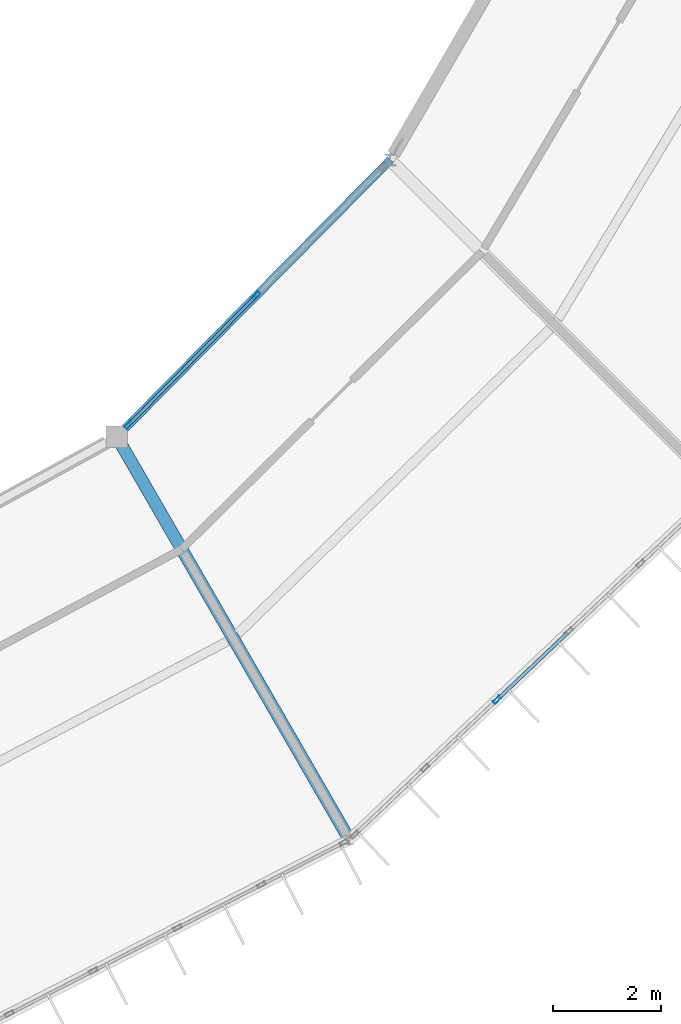
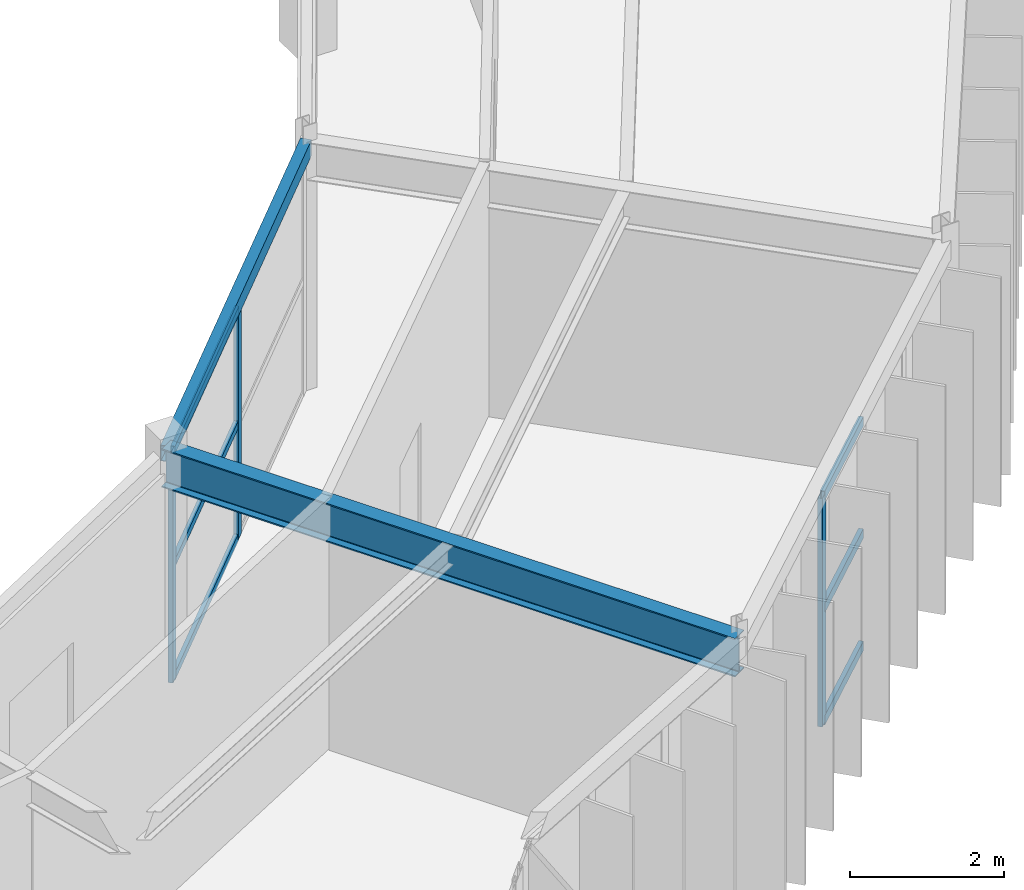
# One storey, part 48 of 134: 9 members, 2 beams, 2 elements without a shape of their own.
"""IFC4 building model written with IfcOpenShell, lengths in metres."""

from ifc_helpers import new_model, si_unit, direction, frame, origin, origin_2d, place, context, subcontext, project, spatial, hollow_rectangle, i_section, extrude, material, material_profile, profile_set, type_object, element, aggregate, save


model = new_model("IFC4")

# Units and contexts
model_context = context("Model", 3, precision=1e-05, world=origin(), true_north=direction((0.0, 1.0)))
body_context = subcontext(model_context, "Body", "Model", "MODEL_VIEW")
ifc_project = project(units=[si_unit("LENGTHUNIT", "METRE"), si_unit("AREAUNIT", "SQUARE_METRE"), si_unit("VOLUMEUNIT", "CUBIC_METRE"), si_unit("PLANEANGLEUNIT", "RADIAN"), si_unit("MASSUNIT", "GRAM", prefix="KILO")], contexts=[model_context])

# Site, building, storey
site_placement = place(None, origin())
site = spatial("IfcSite", under=ifc_project, at=site_placement, CompositionType="ELEMENT")
building_placement = place(site_placement, origin())
building = spatial("IfcBuilding", under=site, at=building_placement, Name="Karori Crest Natural Sciences Institute", CompositionType="ELEMENT")
storey_placement = place(building_placement, frame((0.0, 0.0, 21.699951171875)))
storey = spatial("IfcBuildingStorey", under=building, at=storey_placement, Name="L05", CompositionType="ELEMENT", Elevation=21.699951171875)

# Beams
ifc_material_1 = material(Name="Structural steel AS/NZS 3679.1 Grade 350", Category="steel")
ifc_material_profile_1 = material_profile(ifc_material_1, i_section(OverallWidth=0.22900390625, OverallDepth=0.612060546875, WebThickness=0.011962890625, FlangeThickness=0.01953125, FilletRadius=0.013916015625, at=origin_2d()), Name="610UB125")
ifc_profile_set_1 = profile_set([ifc_material_profile_1], Name="Structural steel AS/NZS 3679.1 Grade 350")
beam_type_1 = type_object("IfcBeamType", Name="BT-04", PredefinedType="BEAM", material=ifc_profile_set_1)
beam_1_placement = place(storey_placement, frame((78.60009765625, 22.013916015625, 3.634033203125), z_axis=(0.499986217557, -0.866033360935, 0.0), x_axis=(0.866033360935, 0.499986217557, 0.0)))
element("IfcBeam", 1, at=beam_1_placement, inside=storey, type_object=beam_type_1, Name="Beam B-0606", PredefinedType="BEAM", context=body_context, shape_type="SweptSolid", body=[
    extrude(i_section(OverallWidth=0.22900390625, OverallDepth=0.612060546875, WebThickness=0.011962890625, FlangeThickness=0.01953125, FilletRadius=0.013916015625, at=origin_2d()), origin(), (0.0, 0.0, 1.0), 8.599853515625),
])
ifc_material_2 = material(Name="Hollow structural steel AS/NZS 1163 Grade C350", Category="steel")
ifc_material_profile_2 = material_profile(ifc_material_2, hollow_rectangle(XDim=0.14990234375, YDim=0.25, WallThickness=0.009033203125, at=origin_2d()), Name="RHS250x150x9")
ifc_profile_set_2 = profile_set([ifc_material_profile_2], Name="Hollow structural steel AS/NZS 1163 Grade C350")
beam_type_2 = type_object("IfcBeamType", Name="BT-16", PredefinedType="SPANDREL", material=ifc_profile_set_2)
beam_2_placement = place(storey_placement, frame((78.60009765625, 22.013916015625, 3.7900390625), z_axis=(0.702645672149, 0.711539921164, 0.0), x_axis=(-0.711539921164, 0.702645672149, 0.0)))
element("IfcBeam", 2, at=beam_2_placement, inside=storey, type_object=beam_type_2, Name="Beam B-0605", PredefinedType="SPANDREL", context=body_context, shape_type="SweptSolid", body=[
    extrude(hollow_rectangle(XDim=0.14990234375, YDim=0.25, WallThickness=0.009033203125, at=origin_2d()), origin(), (0.0, 0.0, 1.0), 7.191650390625),
])

# Curtain wall, member
ifc_material_3 = material(Name="Anodised architectural aluminium 6063-T6", Category="aluminium")
curtain_wall_type_1 = type_object("IfcCurtainWallType", Name="CWT-01", PredefinedType="NOTDEFINED", material=ifc_material_3)
curtain_wall_1_placement = place(storey_placement, origin())
curtain_wall_1 = element("IfcCurtainWall", 3, at=curtain_wall_1_placement, inside=storey, type_object=curtain_wall_type_1, Name="Curtain wall CW-0202", PredefinedType="NOTDEFINED")
ifc_material_profile_3 = material_profile(ifc_material_3, hollow_rectangle(XDim=0.06494140625, YDim=0.159912109375, WallThickness=0.00390625, at=origin_2d()), Name="CWM160x65x4")
ifc_profile_set_3 = profile_set([ifc_material_profile_3], Name="Anodised architectural aluminium 6063-T6")
member_type_1 = type_object("IfcMemberType", Name="CWM-01", PredefinedType="MULLION", material=ifc_profile_set_3)
member_1_placement = place(storey_placement, frame((85.62841796875, 17.15478515625, 0.0), z_axis=(0.0, 0.0, 1.0), x_axis=(0.688250542104, -0.725473081026, 0.0)))
member_1 = element("IfcMember", 4, at=member_1_placement, type_object=member_type_1, Name="CW-0202 mullion 4", PredefinedType="MULLION", context=body_context, shape_type="SweptSolid", body=[
    extrude(hollow_rectangle(XDim=0.06494140625, YDim=0.159912109375, WallThickness=0.00390625, at=origin_2d()), origin(), (0.0, 0.0, 1.0), 3.625),
])

# Curtain wall, members
curtain_wall_type_2 = type_object("IfcCurtainWallType", Name="CWT-11", PredefinedType="NOTDEFINED", material=ifc_material_3)
curtain_wall_2_placement = place(storey_placement, origin())
curtain_wall_2 = element("IfcCurtainWall", 5, at=curtain_wall_2_placement, inside=storey, type_object=curtain_wall_type_2, Name="Curtain wall CW-0203", PredefinedType="NOTDEFINED")
member_2_placement = place(storey_placement, frame((78.81884765625, 22.23583984375, 0.0), z_axis=(0.0, 0.0, 1.0), x_axis=(-0.711524963942, 0.702660818381, 0.0)))
member_2 = element("IfcMember", 6, at=member_2_placement, type_object=member_type_1, Name="CW-0203 mullion 1", PredefinedType="MULLION", context=body_context, shape_type="SweptSolid", body=[
    extrude(hollow_rectangle(XDim=0.06494140625, YDim=0.159912109375, WallThickness=0.00390625, at=origin_2d()), origin(), (0.0, 0.0, 1.0), 3.650146484375),
])
member_3_placement = place(storey_placement, frame((81.17431640625, 24.62060546875, 0.0), z_axis=(0.0, 0.0, 1.0), x_axis=(-0.711524963942, 0.702660818381, 0.0)))
member_3 = element("IfcMember", 7, at=member_3_placement, type_object=member_type_1, Name="CW-0203 mullion 2", PredefinedType="MULLION", context=body_context, shape_type="SweptSolid", body=[
    extrude(hollow_rectangle(XDim=0.06494140625, YDim=0.159912109375, WallThickness=0.00390625, at=origin_2d()), origin(), (0.0, 0.0, 1.0), 3.650146484375),
])
ifc_material_profile_4 = material_profile(ifc_material_3, hollow_rectangle(XDim=0.06005859375, YDim=0.1201171875, WallThickness=0.00390625, at=origin_2d()), Name="CWT120x60x4")
ifc_profile_set_4 = profile_set([ifc_material_profile_4], Name="Anodised architectural aluminium 6063-T6")
member_type_2 = type_object("IfcMemberType", Name="CWT-TR1", PredefinedType="USERDEFINED", material=ifc_profile_set_4)
member_4_placement = place(storey_placement, frame((78.841796875, 22.2587890625, 0.030029296875), z_axis=(0.702636271003, 0.711549204673, 0.0), x_axis=(-0.711549204673, 0.702636271003, 0.0)))
member_4 = element("IfcMember", 8, at=member_4_placement, type_object=member_type_2, Name="CW-0203 transom 1.1", ObjectType="TRANSOM", PredefinedType="USERDEFINED", context=body_context, shape_type="SweptSolid", body=[
    extrude(hollow_rectangle(XDim=0.06005859375, YDim=0.1201171875, WallThickness=0.00390625, at=origin_2d()), origin(), (0.0, 0.0, 1.0), 3.287109375),
])
member_5_placement = place(storey_placement, frame((78.841796875, 22.2587890625, 1.824951171875), z_axis=(0.702636271003, 0.711549204673, 0.0), x_axis=(-0.711549204673, 0.702636271003, 0.0)))
member_5 = element("IfcMember", 9, at=member_5_placement, type_object=member_type_2, Name="CW-0203 transom 1.2", ObjectType="TRANSOM", PredefinedType="USERDEFINED", context=body_context, shape_type="SweptSolid", body=[
    extrude(hollow_rectangle(XDim=0.06005859375, YDim=0.1201171875, WallThickness=0.00390625, at=origin_2d()), origin(), (0.0, 0.0, 1.0), 3.287109375),
])
member_6_placement = place(storey_placement, frame((78.841796875, 22.2587890625, 3.6201171875), z_axis=(0.702636271003, 0.711549204673, 0.0), x_axis=(-0.711549204673, 0.702636271003, 0.0)))
member_6 = element("IfcMember", 10, at=member_6_placement, type_object=member_type_2, Name="CW-0203 transom 1.3", ObjectType="TRANSOM", PredefinedType="USERDEFINED", context=body_context, shape_type="SweptSolid", body=[
    extrude(hollow_rectangle(XDim=0.06005859375, YDim=0.1201171875, WallThickness=0.00390625, at=origin_2d()), origin(), (0.0, 0.0, 1.0), 3.287109375),
])
aggregate(curtain_wall_2, [member_2, member_3, member_4, member_5, member_6])

# Member
ifc_material_profile_5 = material_profile(ifc_material_3, hollow_rectangle(XDim=0.06494140625, YDim=0.14990234375, WallThickness=0.00390625, at=origin_2d()), Name="CWT150x65x4")
ifc_profile_set_5 = profile_set([ifc_material_profile_5], Name="Anodised architectural aluminium 6063-T6")
member_type_3 = type_object("IfcMemberType", Name="CWT-TR2", PredefinedType="USERDEFINED", material=ifc_profile_set_5)
member_7_placement = place(storey_placement, frame((86.931396484375, 18.390869140625, 0.032470703125), z_axis=(-0.725414069786, -0.688312739499, 0.0), x_axis=(0.688312739499, -0.725414069786, 0.0)))
member_7 = element("IfcMember", 11, at=member_7_placement, type_object=member_type_3, Name="CW-0202 transom 3.1", ObjectType="TRANSOM", PredefinedType="USERDEFINED", context=body_context, shape_type="SweptSolid", body=[
    extrude(hollow_rectangle(XDim=0.06494140625, YDim=0.14990234375, WallThickness=0.00390625, at=origin_2d()), origin(), (0.0, 0.0, 1.0), 1.763427734375),
])

member_8_placement = place(storey_placement, frame((86.931396484375, 18.390869140625, 1.8125), z_axis=(-0.725414069786, -0.688312739499, 0.0), x_axis=(0.688312739499, -0.725414069786, 0.0)))
member_8 = element("IfcMember", 12, at=member_8_placement, type_object=member_type_3, Name="CW-0202 transom 3.2", ObjectType="TRANSOM", PredefinedType="USERDEFINED", context=body_context, shape_type="SweptSolid", body=[
    extrude(hollow_rectangle(XDim=0.06494140625, YDim=0.14990234375, WallThickness=0.00390625, at=origin_2d()), origin(), (0.0, 0.0, 1.0), 1.763427734375),
])

member_9_placement = place(storey_placement, frame((86.931396484375, 18.390869140625, 3.592529296875), z_axis=(-0.725414069786, -0.688312739499, 0.0), x_axis=(0.688312739499, -0.725414069786, 0.0)))
member_9 = element("IfcMember", 13, at=member_9_placement, type_object=member_type_3, Name="CW-0202 transom 3.3", ObjectType="TRANSOM", PredefinedType="USERDEFINED", context=body_context, shape_type="SweptSolid", body=[
    extrude(hollow_rectangle(XDim=0.06494140625, YDim=0.14990234375, WallThickness=0.00390625, at=origin_2d()), origin(), (0.0, 0.0, 1.0), 1.763427734375),
])

aggregate(curtain_wall_1, [member_1, member_7, member_8, member_9])

save(model, "model.ifc")
